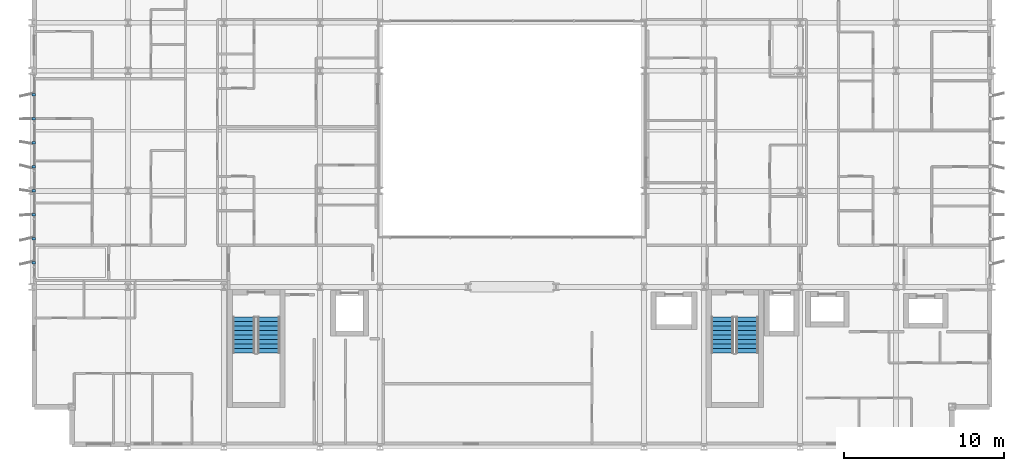
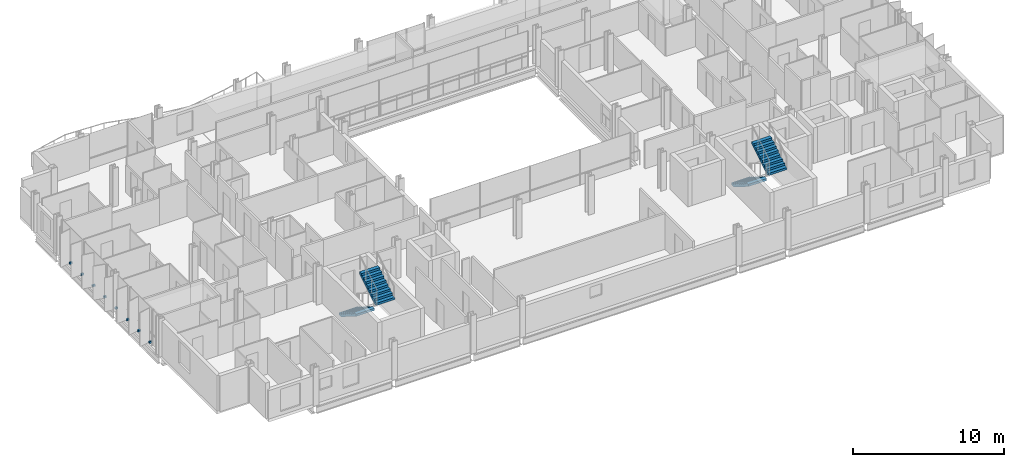
# One storey, part 33 of 38: 8 discrete accessories, 4 stair flights, 2 elements without a shape of their own.
"""IFC4 building model written with IfcOpenShell, lengths in metres."""

from ifc_helpers import new_model, si_unit, direction, frame, origin, origin_2d, place, context, subcontext, project, spatial, polyline, rectangle, outline, extrude, material, layer, layer_set, type_object, element, aggregate, save


model = new_model("IFC4")

# Units and contexts
model_context = context("Model", 3, precision=1e-05, world=origin(), true_north=direction((0.0, 1.0)))
body_context = subcontext(model_context, "Body", "Model", "MODEL_VIEW")
ifc_project = project(units=[si_unit("LENGTHUNIT", "METRE"), si_unit("AREAUNIT", "SQUARE_METRE"), si_unit("VOLUMEUNIT", "CUBIC_METRE"), si_unit("PLANEANGLEUNIT", "RADIAN"), si_unit("MASSUNIT", "GRAM", prefix="KILO")], contexts=[model_context])

# Site, building, storey
site_placement = place(None, origin())
site = spatial("IfcSite", under=ifc_project, at=site_placement, CompositionType="ELEMENT")
building_placement = place(site_placement, origin())
building = spatial("IfcBuilding", under=site, at=building_placement, Name="Brevholm Reach", CompositionType="ELEMENT")
storey_placement = place(building_placement, frame((0.0, 0.0, 46.60009765625)))
storey = spatial("IfcBuildingStorey", under=building, at=storey_placement, Name="L12", CompositionType="ELEMENT", Elevation=46.60009765625)

# Stair, stair flights
ifc_material_1 = material(Name="Precast Concrete C40/50", Category="concrete")
stair_type = type_object("IfcStairType", Name="STR-ESC-1400", PredefinedType="DOUBLE_RETURN_STAIR", material=ifc_material_1)
stair_1_placement = place(storey_placement, origin())
stair_1 = element("IfcStair", 1, at=stair_1_placement, inside=storey, type_object=stair_type, Name="L12 ST-1", PredefinedType="DOUBLE_RETURN_STAIR")
ifc_material_2 = material(Name="Precast Concrete C40/50", Category="concrete")
ifc_layer = layer(ifc_material_2, 0.18505859375)
ifc_layer_set = layer_set([ifc_layer], Name="Precast Concrete C40/50")
stair_flight_type = type_object("IfcStairFlightType", Name="STF-PRC-185", PredefinedType="STRAIGHT", material=ifc_layer_set)
stair_flight_1_placement = place(storey_placement, frame((13.25, 8.10009765625, 0.0), z_axis=(0.0, 0.0, 1.0), x_axis=(0.0, -1.0, 0.0)))
stair_flight_1 = element("IfcStairFlight", 2, at=stair_flight_1_placement, type_object=stair_flight_type, Name="ST-1 flight 1", NumberOfRisers=9, NumberOfTreads=8, PredefinedType="STRAIGHT", RiserHeight=0.172222222, TreadLength=0.28, context=body_context, shape_type="SweptSolid", body=[
    extrude(outline(polyline([(0.0, 0.0), (0.0, 0.172119140625), (0.280029296875, 0.172119140625), (0.280029296875, 0.344482421875), (0.56005859375, 0.344482421875), (0.56005859375, 0.5166015625), (0.840087890625, 0.5166015625), (0.840087890625, 0.68896484375), (1.1201171875, 0.68896484375), (1.1201171875, 0.861083984375), (1.39990234375, 0.861083984375), (1.39990234375, 1.033447265625), (1.679931640625, 1.033447265625), (1.679931640625, 1.20556640625), (1.9599609375, 1.20556640625), (1.9599609375, 1.377685546875), (2.239990234375, 1.377685546875), (2.239990234375, 1.550048828125), (2.239990234375, 1.201904296875), (0.2861328125, 0.0), (0.0, 0.0)])), frame((0.0, 0.699951171875, 0.0), z_axis=(0.0, -1.0, 0.0), x_axis=(1.0, 0.0, 0.0)), (0.0, 0.0, 1.0), 1.39990234375),
])
stair_flight_2_placement = place(storey_placement, frame((14.800048828125, 5.860107421875, 1.5498046875), z_axis=(0.0, 0.0, 1.0), x_axis=(0.0, 1.0, 0.0)))
stair_flight_2 = element("IfcStairFlight", 3, at=stair_flight_2_placement, type_object=stair_flight_type, Name="ST-1 flight 2", NumberOfRisers=9, NumberOfTreads=8, PredefinedType="STRAIGHT", RiserHeight=0.172222222, TreadLength=0.28, context=body_context, shape_type="SweptSolid", body=[
    extrude(outline(polyline([(0.0, 0.0), (0.0, 0.172119140625), (0.280029296875, 0.172119140625), (0.280029296875, 0.344482421875), (0.56005859375, 0.344482421875), (0.56005859375, 0.5166015625), (0.840087890625, 0.5166015625), (0.840087890625, 0.68896484375), (1.1201171875, 0.68896484375), (1.1201171875, 0.861083984375), (1.39990234375, 0.861083984375), (1.39990234375, 1.033447265625), (1.679931640625, 1.033447265625), (1.679931640625, 1.20556640625), (1.9599609375, 1.20556640625), (1.9599609375, 1.377685546875), (2.239990234375, 1.377685546875), (2.239990234375, 1.550048828125), (2.239990234375, 1.201904296875), (0.2861328125, 0.0), (0.0, 0.0)])), frame((0.0, 0.699951171875, 0.0), z_axis=(0.0, -1.0, 0.0), x_axis=(1.0, 0.0, 0.0)), (0.0, 0.0, 1.0), 1.39990234375),
])
aggregate(stair_1, [stair_flight_1, stair_flight_2])

stair_2_placement = place(storey_placement, origin())
stair_2 = element("IfcStair", 4, at=stair_2_placement, inside=storey, type_object=stair_type, Name="L12 ST-2", PredefinedType="DOUBLE_RETURN_STAIR")
stair_flight_3_placement = place(storey_placement, frame((43.14990234375, 8.10009765625, 0.0), z_axis=(0.0, 0.0, 1.0), x_axis=(0.0, -1.0, 0.0)))
stair_flight_3 = element("IfcStairFlight", 5, at=stair_flight_3_placement, type_object=stair_flight_type, Name="ST-2 flight 1", NumberOfRisers=9, NumberOfTreads=8, PredefinedType="STRAIGHT", RiserHeight=0.172222222, TreadLength=0.28, context=body_context, shape_type="SweptSolid", body=[
    extrude(outline(polyline([(0.0, 0.0), (0.0, 0.172119140625), (0.280029296875, 0.172119140625), (0.280029296875, 0.344482421875), (0.56005859375, 0.344482421875), (0.56005859375, 0.5166015625), (0.840087890625, 0.5166015625), (0.840087890625, 0.68896484375), (1.1201171875, 0.68896484375), (1.1201171875, 0.861083984375), (1.39990234375, 0.861083984375), (1.39990234375, 1.033447265625), (1.679931640625, 1.033447265625), (1.679931640625, 1.20556640625), (1.9599609375, 1.20556640625), (1.9599609375, 1.377685546875), (2.239990234375, 1.377685546875), (2.239990234375, 1.550048828125), (2.239990234375, 1.201904296875), (0.2861328125, 0.0), (0.0, 0.0)])), frame((0.0, 0.699951171875, 0.0), z_axis=(0.0, -1.0, 0.0), x_axis=(1.0, 0.0, 0.0)), (0.0, 0.0, 1.0), 1.39990234375),
])
stair_flight_4_placement = place(storey_placement, frame((44.699951171875, 5.860107421875, 1.5498046875), z_axis=(0.0, 0.0, 1.0), x_axis=(0.0, 1.0, 0.0)))
stair_flight_4 = element("IfcStairFlight", 6, at=stair_flight_4_placement, type_object=stair_flight_type, Name="ST-2 flight 2", NumberOfRisers=9, NumberOfTreads=8, PredefinedType="STRAIGHT", RiserHeight=0.172222222, TreadLength=0.28, context=body_context, shape_type="SweptSolid", body=[
    extrude(outline(polyline([(0.0, 0.0), (0.0, 0.172119140625), (0.280029296875, 0.172119140625), (0.280029296875, 0.344482421875), (0.56005859375, 0.344482421875), (0.56005859375, 0.5166015625), (0.840087890625, 0.5166015625), (0.840087890625, 0.68896484375), (1.1201171875, 0.68896484375), (1.1201171875, 0.861083984375), (1.39990234375, 0.861083984375), (1.39990234375, 1.033447265625), (1.679931640625, 1.033447265625), (1.679931640625, 1.20556640625), (1.9599609375, 1.20556640625), (1.9599609375, 1.377685546875), (2.239990234375, 1.377685546875), (2.239990234375, 1.550048828125), (2.239990234375, 1.201904296875), (0.2861328125, 0.0), (0.0, 0.0)])), frame((0.0, 0.699951171875, 0.0), z_axis=(0.0, -1.0, 0.0), x_axis=(1.0, 0.0, 0.0)), (0.0, 0.0, 1.0), 1.39990234375),
])
aggregate(stair_2, [stair_flight_3, stair_flight_4])

# Discrete accessories
ifc_material_3 = material(Name="Duplex Stainless Steel EN 1.4462", Category="steel")
discrete_accessory_type = type_object("IfcDiscreteAccessoryType", Name="ACC-BRK-01", PredefinedType="BRACKET", material=ifc_material_3)
for number, where, z_axis, x_axis, name in (
    (7, (0.1201171875, 11.5, 0.02978515625), (0.0, 0.0, 1.0), (-1.0, 0.0, 0.0), "L12 Solar Screen Support Bracket 1"),
    (8, (0.1201171875, 13.0, 0.02978515625), (0.0, 0.0, 1.0), (-1.0, 0.0, 0.0), "L12 Solar Screen Support Bracket 2"),
    (9, (0.1201171875, 14.5, 0.02978515625), (0.0, 0.0, 1.0), (-1.0, 0.0, 0.0), "L12 Solar Screen Support Bracket 3"),
    (10, (0.1201171875, 16.0, 0.02978515625), (0.0, 0.0, 1.0), (-1.0, 0.0, 0.0), "L12 Solar Screen Support Bracket 4"),
    (11, (0.1201171875, 17.5, 0.02978515625), (0.0, 0.0, 1.0), (-1.0, 0.0, 0.0), "L12 Solar Screen Support Bracket 5"),
    (12, (0.1201171875, 19.0, 0.02978515625), (0.0, 0.0, 1.0), (-1.0, 0.0, 0.0), "L12 Solar Screen Support Bracket 6"),
    (13, (0.1201171875, 20.5, 0.02978515625), (0.0, 0.0, 1.0), (-1.0, 0.0, 0.0), "L12 Solar Screen Support Bracket 7"),
    (14, (0.1201171875, 22.0, 0.02978515625), (0.0, 0.0, 1.0), (-1.0, 0.0, 0.0), "L12 Solar Screen Support Bracket 8"),
):
    element("IfcDiscreteAccessory", number, at=place(storey_placement, frame(where, z_axis=z_axis, x_axis=x_axis)), inside=storey, type_object=discrete_accessory_type, Name=name, PredefinedType="BRACKET", context=body_context, shape_type="SweptSolid", body=[
        extrude(rectangle(XDim=0.199951171875, YDim=0.139892578125, at=origin_2d()), origin(), (0.0, 0.0, 1.0), 0.139892578125),
    ])

save(model, "model.ifc")
